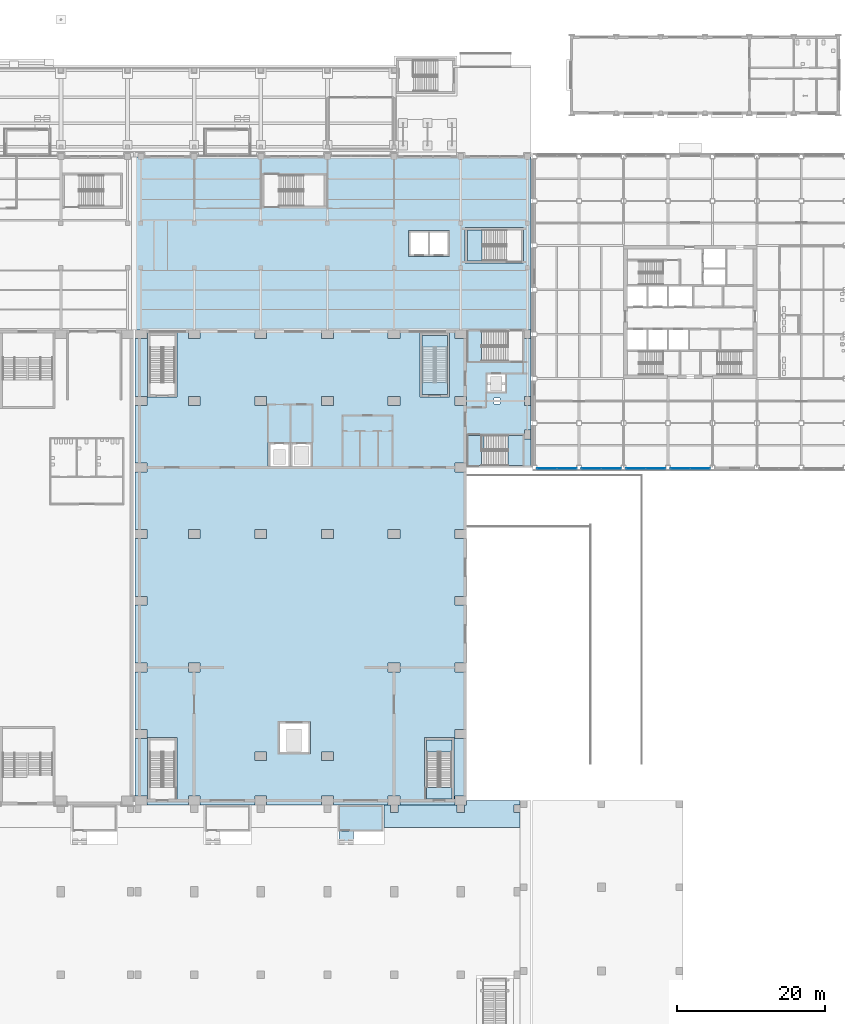
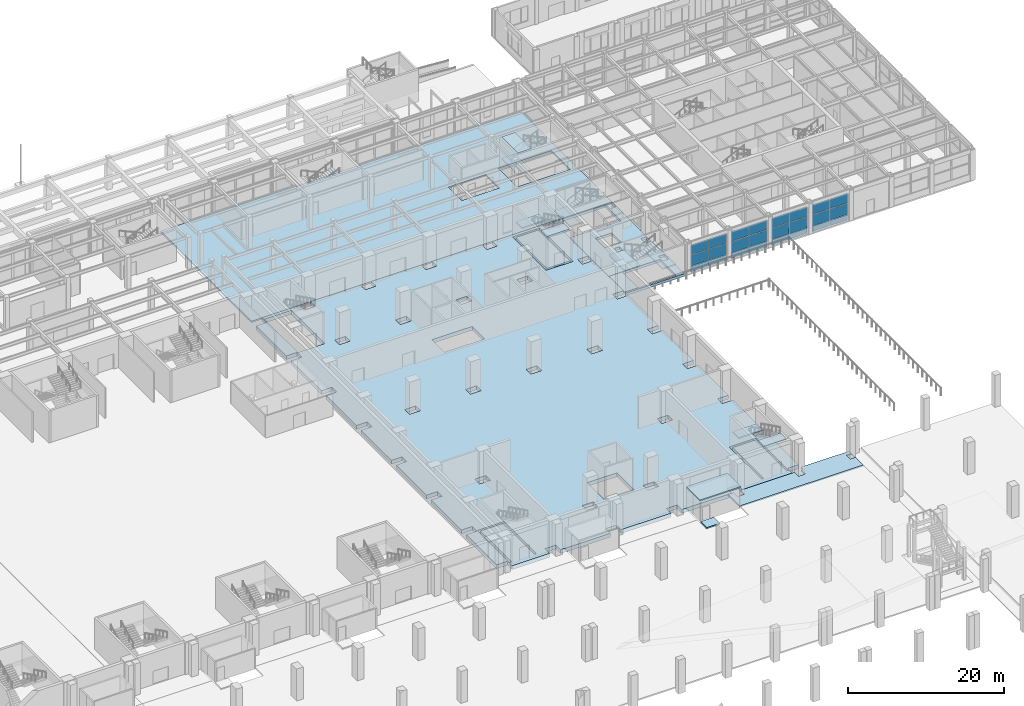
# One storey, part 32 of 77: 24 plates, 17 slabs, 9 elements without a shape of their own.
"""IFC4 building model written with IfcOpenShell, lengths in metres."""

from ifc_helpers import new_model, si_unit, direction, frame, origin, origin_2d, place, context, subcontext, project, spatial, polyline, rectangle, outline, extrude, material, layer, layer_set, type_object, element, aggregate, save


model = new_model("IFC4")

# Units and contexts
model_context = context("Model", 3, precision=1e-05, world=origin(), true_north=direction((0.0, 1.0)))
body_context = subcontext(model_context, "Body", "Model", "MODEL_VIEW")
ifc_project = project(units=[si_unit("LENGTHUNIT", "METRE"), si_unit("AREAUNIT", "SQUARE_METRE"), si_unit("VOLUMEUNIT", "CUBIC_METRE"), si_unit("PLANEANGLEUNIT", "RADIAN"), si_unit("MASSUNIT", "GRAM", prefix="KILO")], contexts=[model_context])

# Site, building, storey
site_placement = place(None, origin())
site = spatial("IfcSite", under=ifc_project, at=site_placement, CompositionType="ELEMENT")
building_placement = place(site_placement, origin())
building = spatial("IfcBuilding", under=site, at=building_placement, Name="Aravalli Gate Trade Fair Centre", CompositionType="ELEMENT")
storey_placement = place(building_placement, origin())
storey = spatial("IfcBuildingStorey", under=building, at=storey_placement, Name="L00", CompositionType="ELEMENT", Elevation=0.0)

# Slabs
ifc_material_1 = material(Name="Concrete M40", Category="concrete")
ifc_layer_1 = layer(ifc_material_1, 0.199951171875)
ifc_layer_set_1 = layer_set([ifc_layer_1], Name="Concrete M40")
slab_type_1 = type_object("IfcSlabType", Name="Apron paving 200", PredefinedType="USERDEFINED", material=ifc_layer_set_1)
slab_1_placement = place(storey_placement, frame((0.0, 0.0, -0.199951171875)))
element("IfcSlab", 1, at=slab_1_placement, inside=storey, type_object=slab_type_1, Name="Paving lane 2", ObjectType="PAVING", PredefinedType="USERDEFINED", context=body_context, shape_type="SweptSolid", body=[
    extrude(outline(polyline([(140.5, 45.39990234375), (140.5, 44.39990234375), (141.5, 44.39990234375), (141.5, 45.39990234375), (149.5, 45.39990234375), (149.5, 44.39990234375), (150.5, 44.39990234375), (150.5, 45.39990234375), (150.800048828125, 45.39990234375), (150.800048828125, 46.0), (158.0, 46.0), (158.0, 45.39990234375), (158.0, 42.39990234375), (139.64990234375, 42.39990234375), (139.64990234375, 45.39990234375), (140.5, 45.39990234375)]), holes=[polyline([(157.179931640625, 44.39990234375), (157.97998046875, 44.39990234375), (157.97998046875, 45.39990234375), (157.179931640625, 45.39990234375), (157.179931640625, 44.39990234375)])]), origin(), (0.0, 0.0, 1.0), 0.199951171875),
])
ifc_material_2 = material(Name="Concrete M30", Category="concrete")
ifc_layer_2 = layer(ifc_material_2, 0.199951171875)
ifc_layer_set_2 = layer_set([ifc_layer_2], Name="Concrete M30")
slab_type_2 = type_object("IfcSlabType", Name="Basement exit apron 200", PredefinedType="USERDEFINED", material=ifc_layer_set_2)
slab_2_placement = place(storey_placement, frame((0.0, 0.0, -0.199951171875)))
element("IfcSlab", 2, at=slab_2_placement, inside=storey, type_object=slab_type_2, Name="Basement stair S7 exit apron", ObjectType="PAVING", PredefinedType="USERDEFINED", context=body_context, shape_type="SweptSolid", body=[
    extrude(outline(polyline([(133.550048828125, 41.89990234375), (135.5, 41.89990234375), (135.5, 40.300048828125), (133.550048828125, 40.300048828125), (133.550048828125, 41.89990234375)])), origin(), (0.0, 0.0, 1.0), 0.199951171875),
])
ifc_material_3 = material(Name="Concrete M35", Category="concrete")
ifc_layer_3 = layer(ifc_material_3, 0.199951171875)
ifc_layer_set_3 = layer_set([ifc_layer_3], Name="Concrete M35")
slab_type_3 = type_object("IfcSlabType", Name="Basement stair head roof 200", PredefinedType="ROOF", material=ifc_layer_set_3)
slab_3_placement = place(storey_placement, frame((0.0, 0.0, 3.199951171875)))
element("IfcSlab", 3, at=slab_3_placement, inside=storey, type_object=slab_type_3, Name="Basement stair S7 head roof", PredefinedType="ROOF", context=body_context, shape_type="SweptSolid", body=[
    extrude(outline(polyline([(133.449951171875, 45.39990234375), (139.550048828125, 45.39990234375), (139.550048828125, 41.89990234375), (133.449951171875, 41.89990234375), (133.449951171875, 45.39990234375)])), origin(), (0.0, 0.0, 1.0), 0.199951171875),
])
ifc_layer_4 = layer(ifc_material_1, 0.25)
ifc_layer_set_4 = layer_set([ifc_layer_4], Name="Concrete M40")
slab_type_4 = type_object("IfcSlabType", Name="Concourse floor slab 250", PredefinedType="FLOOR", material=ifc_layer_set_4)
slab_4_placement = place(storey_placement, frame((0.0, 0.0, -0.25)))
element("IfcSlab", 4, at=slab_4_placement, inside=storey, type_object=slab_type_4, Name="Concourse floor slab 3", PredefinedType="FLOOR", context=body_context, shape_type="SweptSolid", body=[
    extrude(outline(polyline([(159.5, 132.919921875), (106.0, 132.919921875), (106.0, 109.60009765625), (159.5, 109.60009765625), (159.5, 132.919921875)]), holes=[polyline([(158.5, 118.60009765625), (150.60009765625, 118.60009765625), (150.60009765625, 123.39990234375), (158.5, 123.39990234375), (158.5, 118.60009765625)]), polyline([(148.5, 119.5), (142.949951171875, 119.5), (142.949951171875, 123.0), (148.5, 123.0), (148.5, 119.5)])]), origin(), (0.0, 0.0, 1.0), 0.25),
])

# Stair, slabs
stair_type_1 = type_object("IfcStairType", Name="Concourse stair, 2000 wide", PredefinedType="HALF_TURN_STAIR", material=ifc_material_2)
stair_1_placement = place(storey_placement, origin())
stair_1 = element("IfcStair", 5, at=stair_1_placement, inside=storey, type_object=stair_type_1, Name="Stair ES L00", PredefinedType="HALF_TURN_STAIR")
ifc_layer_5 = layer(ifc_material_2, 0.199951171875)
ifc_layer_set_5 = layer_set([ifc_layer_5], Name="Concrete M30")
slab_type_5 = type_object("IfcSlabType", Name="Concourse stair landing 200", PredefinedType="LANDING", material=ifc_layer_set_5)
slab_5_placement = place(storey_placement, frame((0.0, 0.0, 1.466796875)))
slab_5 = element("IfcSlab", 6, at=slab_5_placement, type_object=slab_type_5, Name="STES-L00 landing 1", PredefinedType="LANDING", context=body_context, shape_type="SweptSolid", body=[
    extrude(outline(polyline([(150.89990234375, 118.89990234375), (152.89990234375, 118.89990234375), (152.89990234375, 123.10009765625), (150.89990234375, 123.10009765625), (150.89990234375, 118.89990234375)])), origin(), (0.0, 0.0, 1.0), 0.199951171875),
])
slab_6_placement = place(storey_placement, frame((0.0, 0.0, 4.800048828125)))
slab_6 = element("IfcSlab", 7, at=slab_6_placement, type_object=slab_type_5, Name="STES-L00 landing 3", PredefinedType="LANDING", context=body_context, shape_type="SweptSolid", body=[
    extrude(outline(polyline([(150.89990234375, 118.89990234375), (152.89990234375, 118.89990234375), (152.89990234375, 123.10009765625), (150.89990234375, 123.10009765625), (150.89990234375, 118.89990234375)])), origin(), (0.0, 0.0, 1.0), 0.199951171875),
])
aggregate(stair_1, [slab_5, slab_6])

ifc_material_4 = material(Name="Concrete M45", Category="concrete")
stair_type_2 = type_object("IfcStairType", Name="Congress exit stair", PredefinedType="HALF_TURN_STAIR", material=ifc_material_4)
stair_2_placement = place(storey_placement, origin())
stair_2 = element("IfcStair", 8, at=stair_2_placement, inside=storey, type_object=stair_type_2, Name="Stage Stair East L00", PredefinedType="HALF_TURN_STAIR")
ifc_layer_6 = layer(ifc_material_4, 0.199951171875)
ifc_layer_set_6 = layer_set([ifc_layer_6], Name="Concrete M45")
slab_type_6 = type_object("IfcSlabType", Name="Congress exit stair landing RC 200", PredefinedType="LANDING", material=ifc_layer_set_6)
slab_7_placement = place(storey_placement, frame((0.0, 0.0, 2.300048828125)))
slab_7 = element("IfcSlab", 9, at=slab_7_placement, type_object=slab_type_6, Name="GX2 landing 1", PredefinedType="LANDING", context=body_context, shape_type="SweptSolid", body=[
    extrude(outline(polyline([(145.39990234375, 52.60009765625), (148.800048828125, 52.60009765625), (148.800048828125, 54.199951171875), (145.39990234375, 54.199951171875), (145.39990234375, 52.60009765625)])), origin(), (0.0, 0.0, 1.0), 0.199951171875),
])
slab_8_placement = place(storey_placement, frame((0.0, 0.0, 4.800048828125)))
slab_8 = element("IfcSlab", 10, at=slab_8_placement, type_object=slab_type_6, Name="GX2 landing 2", PredefinedType="LANDING", context=body_context, shape_type="SweptSolid", body=[
    extrude(outline(polyline([(145.39990234375, 46.199951171875), (148.800048828125, 46.199951171875), (148.800048828125, 47.800048828125), (145.39990234375, 47.800048828125), (145.39990234375, 46.199951171875)])), origin(), (0.0, 0.0, 1.0), 0.199951171875),
])
aggregate(stair_2, [slab_7, slab_8])

stair_3_placement = place(storey_placement, origin())
stair_3 = element("IfcStair", 11, at=stair_3_placement, inside=storey, type_object=stair_type_2, Name="Foyer Stair East L00", PredefinedType="HALF_TURN_STAIR")
slab_9_placement = place(storey_placement, frame((0.0, 0.0, 2.300048828125)))
slab_9 = element("IfcSlab", 12, at=slab_9_placement, type_object=slab_type_6, Name="GX4 landing 1", PredefinedType="LANDING", context=body_context, shape_type="SweptSolid", body=[
    extrude(outline(polyline([(144.800048828125, 107.25), (148.199951171875, 107.25), (148.199951171875, 108.85009765625), (144.800048828125, 108.85009765625), (144.800048828125, 107.25)])), origin(), (0.0, 0.0, 1.0), 0.199951171875),
])
slab_10_placement = place(storey_placement, frame((0.0, 0.0, 4.800048828125)))
slab_10 = element("IfcSlab", 13, at=slab_10_placement, type_object=slab_type_6, Name="GX4 landing 2", PredefinedType="LANDING", context=body_context, shape_type="SweptSolid", body=[
    extrude(outline(polyline([(144.800048828125, 100.85009765625), (148.199951171875, 100.85009765625), (148.199951171875, 102.449951171875), (144.800048828125, 102.449951171875), (144.800048828125, 100.85009765625)])), origin(), (0.0, 0.0, 1.0), 0.199951171875),
])
aggregate(stair_3, [slab_9, slab_10])

# Slabs
ifc_layer_7 = layer(ifc_material_1, 0.60009765625)
ifc_layer_set_7 = layer_set([ifc_layer_7], Name="Concrete M40")
slab_type_7 = type_object("IfcSlabType", Name="Congress ground deck RC 600", PredefinedType="FLOOR", material=ifc_layer_set_7)
slab_11_placement = place(storey_placement, frame((0.0, 0.0, -0.60009765625)))
element("IfcSlab", 14, at=slab_11_placement, inside=storey, type_object=slab_type_7, Name="Congress ground deck", PredefinedType="FLOOR", context=body_context, shape_type="SweptSolid", body=[
    extrude(outline(polyline([(149.199951171875, 46.60009765625), (149.199951171875, 45.39990234375), (141.800048828125, 45.39990234375), (141.800048828125, 46.60009765625), (140.199951171875, 46.60009765625), (140.199951171875, 45.39990234375), (132.800048828125, 45.39990234375), (132.800048828125, 46.60009765625), (131.199951171875, 46.60009765625), (131.199951171875, 45.39990234375), (123.800048828125, 45.39990234375), (123.800048828125, 46.60009765625), (122.199951171875, 46.60009765625), (122.199951171875, 45.39990234375), (114.800048828125, 45.39990234375), (114.800048828125, 46.60009765625), (113.199951171875, 46.60009765625), (113.199951171875, 45.39990234375), (107.60009765625, 45.39990234375), (107.60009765625, 46.60009765625), (106.0, 46.60009765625), (106.0, 54.39990234375), (107.60009765625, 54.39990234375), (107.60009765625, 55.60009765625), (106.0, 55.60009765625), (106.0, 63.39990234375), (107.60009765625, 63.39990234375), (107.60009765625, 64.60009765625), (106.0, 64.60009765625), (106.0, 72.39990234375), (107.60009765625, 72.39990234375), (107.60009765625, 73.60009765625), (106.0, 73.60009765625), (106.0, 81.39990234375), (107.60009765625, 81.39990234375), (107.60009765625, 82.60009765625), (106.0, 82.60009765625), (106.0, 90.39990234375), (107.60009765625, 90.39990234375), (107.60009765625, 91.60009765625), (106.0, 91.60009765625), (106.0, 99.39990234375), (107.60009765625, 99.39990234375), (107.60009765625, 100.60009765625), (106.0, 100.60009765625), (106.0, 108.39990234375), (107.60009765625, 108.39990234375), (107.60009765625, 109.60009765625), (113.199951171875, 109.60009765625), (113.199951171875, 108.39990234375), (114.800048828125, 108.39990234375), (114.800048828125, 109.60009765625), (122.199951171875, 109.60009765625), (122.199951171875, 108.39990234375), (123.800048828125, 108.39990234375), (123.800048828125, 109.60009765625), (131.199951171875, 109.60009765625), (131.199951171875, 108.39990234375), (132.800048828125, 108.39990234375), (132.800048828125, 109.60009765625), (140.199951171875, 109.60009765625), (140.199951171875, 108.39990234375), (141.800048828125, 108.39990234375), (141.800048828125, 109.60009765625), (149.199951171875, 109.60009765625), (149.199951171875, 108.39990234375), (150.800048828125, 108.39990234375), (150.800048828125, 100.60009765625), (149.199951171875, 100.60009765625), (149.199951171875, 99.39990234375), (150.800048828125, 99.39990234375), (150.800048828125, 91.60009765625), (149.199951171875, 91.60009765625), (149.199951171875, 90.39990234375), (150.800048828125, 90.39990234375), (150.800048828125, 82.60009765625), (149.199951171875, 82.60009765625), (149.199951171875, 81.39990234375), (150.800048828125, 81.39990234375), (150.800048828125, 73.60009765625), (149.199951171875, 73.60009765625), (149.199951171875, 72.39990234375), (150.800048828125, 72.39990234375), (150.800048828125, 64.60009765625), (149.199951171875, 64.60009765625), (149.199951171875, 63.39990234375), (150.800048828125, 63.39990234375), (150.800048828125, 55.60009765625), (149.199951171875, 55.60009765625), (149.199951171875, 54.39990234375), (150.800048828125, 54.39990234375), (150.800048828125, 46.60009765625), (149.199951171875, 46.60009765625)]), holes=[polyline([(123.800048828125, 52.60009765625), (122.199951171875, 52.60009765625), (122.199951171875, 51.39990234375), (123.800048828125, 51.39990234375), (123.800048828125, 52.60009765625)]), polyline([(114.800048828125, 64.60009765625), (113.199951171875, 64.60009765625), (113.199951171875, 63.39990234375), (114.800048828125, 63.39990234375), (114.800048828125, 64.60009765625)]), polyline([(114.800048828125, 82.60009765625), (113.199951171875, 82.60009765625), (113.199951171875, 81.39990234375), (114.800048828125, 81.39990234375), (114.800048828125, 82.60009765625)]), polyline([(123.800048828125, 82.60009765625), (122.199951171875, 82.60009765625), (122.199951171875, 81.39990234375), (123.800048828125, 81.39990234375), (123.800048828125, 82.60009765625)]), polyline([(123.800048828125, 100.60009765625), (122.199951171875, 100.60009765625), (122.199951171875, 99.39990234375), (123.800048828125, 99.39990234375), (123.800048828125, 100.60009765625)]), polyline([(114.800048828125, 100.60009765625), (113.199951171875, 100.60009765625), (113.199951171875, 99.39990234375), (114.800048828125, 99.39990234375), (114.800048828125, 100.60009765625)]), polyline([(132.800048828125, 52.60009765625), (131.199951171875, 52.60009765625), (131.199951171875, 51.39990234375), (132.800048828125, 51.39990234375), (132.800048828125, 52.60009765625)]), polyline([(141.800048828125, 64.60009765625), (140.199951171875, 64.60009765625), (140.199951171875, 63.39990234375), (141.800048828125, 63.39990234375), (141.800048828125, 64.60009765625)]), polyline([(141.800048828125, 81.39990234375), (141.800048828125, 82.60009765625), (140.199951171875, 82.60009765625), (140.199951171875, 81.39990234375), (141.800048828125, 81.39990234375)]), polyline([(132.800048828125, 82.60009765625), (131.199951171875, 82.60009765625), (131.199951171875, 81.39990234375), (132.800048828125, 81.39990234375), (132.800048828125, 82.60009765625)]), polyline([(141.800048828125, 100.60009765625), (140.199951171875, 100.60009765625), (140.199951171875, 99.39990234375), (141.800048828125, 99.39990234375), (141.800048828125, 100.60009765625)]), polyline([(132.800048828125, 100.60009765625), (131.199951171875, 100.60009765625), (131.199951171875, 99.39990234375), (132.800048828125, 99.39990234375), (132.800048828125, 100.60009765625)]), polyline([(108.0, 54.5), (107.699951171875, 54.5), (107.699951171875, 46.199951171875), (108.0, 46.199951171875), (108.0, 54.199951171875), (111.39990234375, 54.199951171875), (111.39990234375, 46.199951171875), (111.699951171875, 46.199951171875), (111.699951171875, 54.5), (111.39990234375, 54.5), (108.0, 54.5)]), polyline([(129.699951171875, 56.699951171875), (125.300048828125, 56.699951171875), (125.300048828125, 52.300048828125), (129.699951171875, 52.300048828125), (129.699951171875, 56.699951171875)]), polyline([(127.0, 91.199951171875), (130.0, 91.199951171875), (130.0, 94.39990234375), (127.0, 94.39990234375), (124.0, 94.39990234375), (124.0, 91.199951171875), (127.0, 91.199951171875)]), polyline([(111.39990234375, 109.14990234375), (108.0, 109.14990234375), (107.699951171875, 109.14990234375), (107.699951171875, 100.550048828125), (108.0, 100.550048828125), (111.39990234375, 100.550048828125), (111.699951171875, 100.550048828125), (111.699951171875, 109.14990234375), (111.39990234375, 109.14990234375)]), polyline([(145.39990234375, 54.5), (145.10009765625, 54.5), (145.10009765625, 46.199951171875), (145.39990234375, 46.199951171875), (145.39990234375, 54.199951171875), (148.800048828125, 54.199951171875), (148.800048828125, 46.199951171875), (149.10009765625, 46.199951171875), (149.10009765625, 54.5), (148.800048828125, 54.5), (145.39990234375, 54.5)]), polyline([(144.5, 100.550048828125), (144.800048828125, 100.550048828125), (148.199951171875, 100.550048828125), (148.5, 100.550048828125), (148.5, 109.14990234375), (148.199951171875, 109.14990234375), (144.800048828125, 109.14990234375), (144.5, 109.14990234375), (144.5, 100.550048828125)])]), origin(), (0.0, 0.0, 1.0), 0.60009765625),
])
slab_12_placement = place(storey_placement, frame((0.0, 0.0, -0.60009765625)))
element("IfcSlab", 15, at=slab_12_placement, inside=storey, type_object=slab_type_7, Name="Congress ground deck", PredefinedType="FLOOR", context=body_context, shape_type="SweptSolid", body=[
    extrude(outline(polyline([(148.199951171875, 108.85009765625), (148.199951171875, 100.85009765625), (144.800048828125, 100.85009765625), (144.800048828125, 108.85009765625), (148.199951171875, 108.85009765625)])), origin(), (0.0, 0.0, 1.0), 0.60009765625),
])
ifc_material_5 = material(Name="Concrete M50", Category="concrete")
ifc_layer_8 = layer(ifc_material_5, 0.409912109375)
ifc_layer_set_8 = layer_set([ifc_layer_8], Name="Concrete M50")
slab_type_8 = type_object("IfcSlabType", Name="Link floor slab 410", PredefinedType="FLOOR", material=ifc_layer_set_8)
slab_13_placement = place(storey_placement, frame((0.0, 0.0, -0.409912109375)))
element("IfcSlab", 16, at=slab_13_placement, inside=storey, type_object=slab_type_8, Name="Link floor slab L00", PredefinedType="FLOOR", context=body_context, shape_type="SweptSolid", body=[
    extrude(outline(polyline([(159.5, 109.60009765625), (159.5, 91.0), (150.800048828125, 91.0), (150.800048828125, 91.25), (158.39990234375, 91.25), (158.39990234375, 95.35009765625), (150.800048828125, 95.35009765625), (150.800048828125, 105.35009765625), (158.39990234375, 105.35009765625), (158.39990234375, 109.449951171875), (150.800048828125, 109.449951171875), (150.800048828125, 109.60009765625), (158.60009765625, 109.60009765625), (158.60009765625, 108.39990234375), (159.39990234375, 108.39990234375), (159.39990234375, 109.60009765625), (159.5, 109.60009765625)]), holes=[polyline([(158.60009765625, 96.050048828125), (158.60009765625, 94.85009765625), (159.39990234375, 94.85009765625), (159.39990234375, 96.050048828125), (158.60009765625, 96.050048828125)]), polyline([(154.5, 100.39990234375), (154.5, 99.60009765625), (155.300048828125, 99.60009765625), (155.300048828125, 100.39990234375), (154.5, 100.39990234375)]), polyline([(158.60009765625, 100.60009765625), (158.60009765625, 99.39990234375), (159.39990234375, 99.39990234375), (159.39990234375, 100.60009765625), (158.60009765625, 100.60009765625)]), polyline([(153.60009765625, 103.60009765625), (153.60009765625, 101.199951171875), (156.0, 101.199951171875), (156.0, 103.60009765625), (153.60009765625, 103.60009765625)])]), origin(), (0.0, 0.0, 1.0), 0.409912109375),
])

# Stair, slabs
stair_type_3 = type_object("IfcStairType", Name="Wing core stair", PredefinedType="HALF_TURN_STAIR", material=ifc_material_2)
stair_4_placement = place(storey_placement, origin())
stair_4 = element("IfcStair", 17, at=stair_4_placement, inside=storey, type_object=stair_type_3, Name="Stair LA L00", PredefinedType="HALF_TURN_STAIR")
ifc_layer_9 = layer(ifc_material_2, 0.199951171875)
ifc_layer_set_9 = layer_set([ifc_layer_9], Name="Concrete M30")
slab_type_9 = type_object("IfcSlabType", Name="Wing core stair landing 200", PredefinedType="LANDING", material=ifc_layer_set_9)
slab_14_placement = place(storey_placement, frame((0.0, 0.0, -0.199951171875)))
slab_14 = element("IfcSlab", 18, at=slab_14_placement, type_object=slab_type_9, Name="TST1 landing 1", PredefinedType="LANDING", context=body_context, shape_type="SweptSolid", body=[
    extrude(outline(polyline([(150.800048828125, 91.25), (152.800048828125, 91.25), (152.800048828125, 95.35009765625), (150.800048828125, 95.35009765625), (150.800048828125, 91.25)])), origin(), (0.0, 0.0, 1.0), 0.199951171875),
])
slab_15_placement = place(storey_placement, frame((0.0, 0.0, 1.564697265625)))
slab_15 = element("IfcSlab", 19, at=slab_15_placement, type_object=slab_type_9, Name="TST1 landing 2", PredefinedType="LANDING", context=body_context, shape_type="SweptSolid", body=[
    extrude(outline(polyline([(156.39697265625, 91.25), (158.39990234375, 91.25), (158.39990234375, 95.35009765625), (156.39697265625, 95.35009765625), (156.39697265625, 91.25)])), origin(), (0.0, 0.0, 1.0), 0.199951171875),
])
slab_16_placement = place(storey_placement, frame((0.0, 0.0, 3.182373046875)))
slab_16 = element("IfcSlab", 20, at=slab_16_placement, type_object=slab_type_9, Name="TST1 landing 3", PredefinedType="LANDING", context=body_context, shape_type="SweptSolid", body=[
    extrude(outline(polyline([(150.800048828125, 91.25), (153.126953125, 91.25), (153.126953125, 95.35009765625), (150.800048828125, 95.35009765625), (150.800048828125, 91.25)])), origin(), (0.0, 0.0, 1.0), 0.199951171875),
])
aggregate(stair_4, [slab_14, slab_15, slab_16])

# Stair, slab
stair_5_placement = place(storey_placement, origin())
stair_5 = element("IfcStair", 21, at=stair_5_placement, inside=storey, type_object=stair_type_3, Name="Stair LB L00", PredefinedType="HALF_TURN_STAIR")
slab_17_placement = place(storey_placement, frame((0.0, 0.0, 1.564697265625)))
slab_17 = element("IfcSlab", 22, at=slab_17_placement, type_object=slab_type_9, Name="TST1 landing 2", PredefinedType="LANDING", context=body_context, shape_type="SweptSolid", body=[
    extrude(outline(polyline([(150.800048828125, 105.35009765625), (152.802978515625, 105.35009765625), (152.802978515625, 109.449951171875), (150.800048828125, 109.449951171875), (150.800048828125, 105.35009765625)])), origin(), (0.0, 0.0, 1.0), 0.199951171875),
])
aggregate(stair_5, [slab_17])

# Curtain wall, plates
ifc_material_6 = material(Name="Aluminium and glass", Category="aluminium")
curtain_wall_type = type_object("IfcCurtainWallType", Name="Wing curtain wall", PredefinedType="NOTDEFINED", material=ifc_material_6)
curtain_wall_1_placement = place(storey_placement, origin())
curtain_wall_1 = element("IfcCurtainWall", 23, at=curtain_wall_1_placement, inside=storey, type_object=curtain_wall_type, Name="Curtain wall S0 L00", PredefinedType="NOTDEFINED")
ifc_material_7 = material(Name="Glass", Category="glass")
ifc_layer_10 = layer(ifc_material_7, 0.028076171875)
ifc_layer_set_10 = layer_set([ifc_layer_10], Name="Glass")
plate_type = type_object("IfcPlateType", Name="Wing curtain wall glazing panel 28", PredefinedType="CURTAIN_PANEL", material=ifc_layer_set_10)
plate_1_placement = place(storey_placement, frame((161.6650390625, 90.875, 0.06005859375), z_axis=(0.0, 0.0, 1.0), x_axis=(1.0, 0.0, 0.0)))
plate_1 = element("IfcPlate", 24, at=plate_1_placement, type_object=plate_type, Name="TCW1 panel 1.1", PredefinedType="CURTAIN_PANEL", context=body_context, shape_type="SweptSolid", body=[
    extrude(rectangle(XDim=2.610107421875, YDim=0.028076171875, at=origin_2d()), origin(), (0.0, 0.0, 1.0), 0.81005859375),
])
plate_2_placement = place(storey_placement, frame((161.6650390625, 90.875, 0.93017578125), z_axis=(0.0, 0.0, 1.0), x_axis=(1.0, 0.0, 0.0)))
plate_2 = element("IfcPlate", 25, at=plate_2_placement, type_object=plate_type, Name="TCW1 panel 1.2", PredefinedType="CURTAIN_PANEL", context=body_context, shape_type="SweptSolid", body=[
    extrude(rectangle(XDim=2.610107421875, YDim=0.028076171875, at=origin_2d()), origin(), (0.0, 0.0, 1.0), 1.739990234375),
])
plate_3_placement = place(storey_placement, frame((161.6650390625, 90.875, 2.72998046875), z_axis=(0.0, 0.0, 1.0), x_axis=(1.0, 0.0, 0.0)))
plate_3 = element("IfcPlate", 26, at=plate_3_placement, type_object=plate_type, Name="TCW1 panel 1.3", PredefinedType="CURTAIN_PANEL", context=body_context, shape_type="SweptSolid", body=[
    extrude(rectangle(XDim=2.610107421875, YDim=0.028076171875, at=origin_2d()), origin(), (0.0, 0.0, 1.0), 1.56005859375),
])
plate_4_placement = place(storey_placement, frame((164.3349609375, 90.875, 0.06005859375), z_axis=(0.0, 0.0, 1.0), x_axis=(1.0, 0.0, 0.0)))
plate_4 = element("IfcPlate", 27, at=plate_4_placement, type_object=plate_type, Name="TCW1 panel 2.1", PredefinedType="CURTAIN_PANEL", context=body_context, shape_type="SweptSolid", body=[
    extrude(rectangle(XDim=2.610107421875, YDim=0.028076171875, at=origin_2d()), origin(), (0.0, 0.0, 1.0), 0.81005859375),
])
plate_5_placement = place(storey_placement, frame((164.3349609375, 90.875, 0.93017578125), z_axis=(0.0, 0.0, 1.0), x_axis=(1.0, 0.0, 0.0)))
plate_5 = element("IfcPlate", 28, at=plate_5_placement, type_object=plate_type, Name="TCW1 panel 2.2", PredefinedType="CURTAIN_PANEL", context=body_context, shape_type="SweptSolid", body=[
    extrude(rectangle(XDim=2.610107421875, YDim=0.028076171875, at=origin_2d()), origin(), (0.0, 0.0, 1.0), 1.739990234375),
])
plate_6_placement = place(storey_placement, frame((164.3349609375, 90.875, 2.72998046875), z_axis=(0.0, 0.0, 1.0), x_axis=(1.0, 0.0, 0.0)))
plate_6 = element("IfcPlate", 29, at=plate_6_placement, type_object=plate_type, Name="TCW1 panel 2.3", PredefinedType="CURTAIN_PANEL", context=body_context, shape_type="SweptSolid", body=[
    extrude(rectangle(XDim=2.610107421875, YDim=0.028076171875, at=origin_2d()), origin(), (0.0, 0.0, 1.0), 1.56005859375),
])
aggregate(curtain_wall_1, [plate_1, plate_2, plate_3, plate_4, plate_5, plate_6])

curtain_wall_2_placement = place(storey_placement, origin())
curtain_wall_2 = element("IfcCurtainWall", 30, at=curtain_wall_2_placement, inside=storey, type_object=curtain_wall_type, Name="Curtain wall S1 L00", PredefinedType="NOTDEFINED")
plate_7_placement = place(storey_placement, frame((167.6650390625, 90.875, 0.06005859375), z_axis=(0.0, 0.0, 1.0), x_axis=(1.0, 0.0, 0.0)))
plate_7 = element("IfcPlate", 31, at=plate_7_placement, type_object=plate_type, Name="TCW1 panel 1.1", PredefinedType="CURTAIN_PANEL", context=body_context, shape_type="SweptSolid", body=[
    extrude(rectangle(XDim=2.610107421875, YDim=0.028076171875, at=origin_2d()), origin(), (0.0, 0.0, 1.0), 0.81005859375),
])
plate_8_placement = place(storey_placement, frame((167.6650390625, 90.875, 0.93017578125), z_axis=(0.0, 0.0, 1.0), x_axis=(1.0, 0.0, 0.0)))
plate_8 = element("IfcPlate", 32, at=plate_8_placement, type_object=plate_type, Name="TCW1 panel 1.2", PredefinedType="CURTAIN_PANEL", context=body_context, shape_type="SweptSolid", body=[
    extrude(rectangle(XDim=2.610107421875, YDim=0.028076171875, at=origin_2d()), origin(), (0.0, 0.0, 1.0), 1.739990234375),
])
plate_9_placement = place(storey_placement, frame((167.6650390625, 90.875, 2.72998046875), z_axis=(0.0, 0.0, 1.0), x_axis=(1.0, 0.0, 0.0)))
plate_9 = element("IfcPlate", 33, at=plate_9_placement, type_object=plate_type, Name="TCW1 panel 1.3", PredefinedType="CURTAIN_PANEL", context=body_context, shape_type="SweptSolid", body=[
    extrude(rectangle(XDim=2.610107421875, YDim=0.028076171875, at=origin_2d()), origin(), (0.0, 0.0, 1.0), 1.56005859375),
])
plate_10_placement = place(storey_placement, frame((170.3349609375, 90.875, 0.06005859375), z_axis=(0.0, 0.0, 1.0), x_axis=(1.0, 0.0, 0.0)))
plate_10 = element("IfcPlate", 34, at=plate_10_placement, type_object=plate_type, Name="TCW1 panel 2.1", PredefinedType="CURTAIN_PANEL", context=body_context, shape_type="SweptSolid", body=[
    extrude(rectangle(XDim=2.610107421875, YDim=0.028076171875, at=origin_2d()), origin(), (0.0, 0.0, 1.0), 0.81005859375),
])
plate_11_placement = place(storey_placement, frame((170.3349609375, 90.875, 0.93017578125), z_axis=(0.0, 0.0, 1.0), x_axis=(1.0, 0.0, 0.0)))
plate_11 = element("IfcPlate", 35, at=plate_11_placement, type_object=plate_type, Name="TCW1 panel 2.2", PredefinedType="CURTAIN_PANEL", context=body_context, shape_type="SweptSolid", body=[
    extrude(rectangle(XDim=2.610107421875, YDim=0.028076171875, at=origin_2d()), origin(), (0.0, 0.0, 1.0), 1.739990234375),
])
plate_12_placement = place(storey_placement, frame((170.3349609375, 90.875, 2.72998046875), z_axis=(0.0, 0.0, 1.0), x_axis=(1.0, 0.0, 0.0)))
plate_12 = element("IfcPlate", 36, at=plate_12_placement, type_object=plate_type, Name="TCW1 panel 2.3", PredefinedType="CURTAIN_PANEL", context=body_context, shape_type="SweptSolid", body=[
    extrude(rectangle(XDim=2.610107421875, YDim=0.028076171875, at=origin_2d()), origin(), (0.0, 0.0, 1.0), 1.56005859375),
])
aggregate(curtain_wall_2, [plate_7, plate_8, plate_9, plate_10, plate_11, plate_12])

curtain_wall_3_placement = place(storey_placement, origin())
curtain_wall_3 = element("IfcCurtainWall", 37, at=curtain_wall_3_placement, inside=storey, type_object=curtain_wall_type, Name="Curtain wall S2 L00", PredefinedType="NOTDEFINED")
plate_13_placement = place(storey_placement, frame((173.6650390625, 90.875, 0.06005859375), z_axis=(0.0, 0.0, 1.0), x_axis=(1.0, 0.0, 0.0)))
plate_13 = element("IfcPlate", 38, at=plate_13_placement, type_object=plate_type, Name="TCW1 panel 1.1", PredefinedType="CURTAIN_PANEL", context=body_context, shape_type="SweptSolid", body=[
    extrude(rectangle(XDim=2.610107421875, YDim=0.028076171875, at=origin_2d()), origin(), (0.0, 0.0, 1.0), 0.81005859375),
])
plate_14_placement = place(storey_placement, frame((173.6650390625, 90.875, 0.93017578125), z_axis=(0.0, 0.0, 1.0), x_axis=(1.0, 0.0, 0.0)))
plate_14 = element("IfcPlate", 39, at=plate_14_placement, type_object=plate_type, Name="TCW1 panel 1.2", PredefinedType="CURTAIN_PANEL", context=body_context, shape_type="SweptSolid", body=[
    extrude(rectangle(XDim=2.610107421875, YDim=0.028076171875, at=origin_2d()), origin(), (0.0, 0.0, 1.0), 1.739990234375),
])
plate_15_placement = place(storey_placement, frame((173.6650390625, 90.875, 2.72998046875), z_axis=(0.0, 0.0, 1.0), x_axis=(1.0, 0.0, 0.0)))
plate_15 = element("IfcPlate", 40, at=plate_15_placement, type_object=plate_type, Name="TCW1 panel 1.3", PredefinedType="CURTAIN_PANEL", context=body_context, shape_type="SweptSolid", body=[
    extrude(rectangle(XDim=2.610107421875, YDim=0.028076171875, at=origin_2d()), origin(), (0.0, 0.0, 1.0), 1.56005859375),
])
plate_16_placement = place(storey_placement, frame((176.3349609375, 90.875, 0.06005859375), z_axis=(0.0, 0.0, 1.0), x_axis=(1.0, 0.0, 0.0)))
plate_16 = element("IfcPlate", 41, at=plate_16_placement, type_object=plate_type, Name="TCW1 panel 2.1", PredefinedType="CURTAIN_PANEL", context=body_context, shape_type="SweptSolid", body=[
    extrude(rectangle(XDim=2.610107421875, YDim=0.028076171875, at=origin_2d()), origin(), (0.0, 0.0, 1.0), 0.81005859375),
])
plate_17_placement = place(storey_placement, frame((176.3349609375, 90.875, 0.93017578125), z_axis=(0.0, 0.0, 1.0), x_axis=(1.0, 0.0, 0.0)))
plate_17 = element("IfcPlate", 42, at=plate_17_placement, type_object=plate_type, Name="TCW1 panel 2.2", PredefinedType="CURTAIN_PANEL", context=body_context, shape_type="SweptSolid", body=[
    extrude(rectangle(XDim=2.610107421875, YDim=0.028076171875, at=origin_2d()), origin(), (0.0, 0.0, 1.0), 1.739990234375),
])
plate_18_placement = place(storey_placement, frame((176.3349609375, 90.875, 2.72998046875), z_axis=(0.0, 0.0, 1.0), x_axis=(1.0, 0.0, 0.0)))
plate_18 = element("IfcPlate", 43, at=plate_18_placement, type_object=plate_type, Name="TCW1 panel 2.3", PredefinedType="CURTAIN_PANEL", context=body_context, shape_type="SweptSolid", body=[
    extrude(rectangle(XDim=2.610107421875, YDim=0.028076171875, at=origin_2d()), origin(), (0.0, 0.0, 1.0), 1.56005859375),
])
aggregate(curtain_wall_3, [plate_13, plate_14, plate_15, plate_16, plate_17, plate_18])

curtain_wall_4_placement = place(storey_placement, origin())
curtain_wall_4 = element("IfcCurtainWall", 44, at=curtain_wall_4_placement, inside=storey, type_object=curtain_wall_type, Name="Curtain wall S3 L00", PredefinedType="NOTDEFINED")
plate_19_placement = place(storey_placement, frame((179.6650390625, 90.875, 0.06005859375), z_axis=(0.0, 0.0, 1.0), x_axis=(1.0, 0.0, 0.0)))
plate_19 = element("IfcPlate", 45, at=plate_19_placement, type_object=plate_type, Name="TCW1 panel 1.1", PredefinedType="CURTAIN_PANEL", context=body_context, shape_type="SweptSolid", body=[
    extrude(rectangle(XDim=2.610107421875, YDim=0.028076171875, at=origin_2d()), origin(), (0.0, 0.0, 1.0), 0.81005859375),
])
plate_20_placement = place(storey_placement, frame((179.6650390625, 90.875, 0.93017578125), z_axis=(0.0, 0.0, 1.0), x_axis=(1.0, 0.0, 0.0)))
plate_20 = element("IfcPlate", 46, at=plate_20_placement, type_object=plate_type, Name="TCW1 panel 1.2", PredefinedType="CURTAIN_PANEL", context=body_context, shape_type="SweptSolid", body=[
    extrude(rectangle(XDim=2.610107421875, YDim=0.028076171875, at=origin_2d()), origin(), (0.0, 0.0, 1.0), 1.739990234375),
])
plate_21_placement = place(storey_placement, frame((179.6650390625, 90.875, 2.72998046875), z_axis=(0.0, 0.0, 1.0), x_axis=(1.0, 0.0, 0.0)))
plate_21 = element("IfcPlate", 47, at=plate_21_placement, type_object=plate_type, Name="TCW1 panel 1.3", PredefinedType="CURTAIN_PANEL", context=body_context, shape_type="SweptSolid", body=[
    extrude(rectangle(XDim=2.610107421875, YDim=0.028076171875, at=origin_2d()), origin(), (0.0, 0.0, 1.0), 1.56005859375),
])
plate_22_placement = place(storey_placement, frame((182.3349609375, 90.875, 0.06005859375), z_axis=(0.0, 0.0, 1.0), x_axis=(1.0, 0.0, 0.0)))
plate_22 = element("IfcPlate", 48, at=plate_22_placement, type_object=plate_type, Name="TCW1 panel 2.1", PredefinedType="CURTAIN_PANEL", context=body_context, shape_type="SweptSolid", body=[
    extrude(rectangle(XDim=2.610107421875, YDim=0.028076171875, at=origin_2d()), origin(), (0.0, 0.0, 1.0), 0.81005859375),
])
plate_23_placement = place(storey_placement, frame((182.3349609375, 90.875, 0.93017578125), z_axis=(0.0, 0.0, 1.0), x_axis=(1.0, 0.0, 0.0)))
plate_23 = element("IfcPlate", 49, at=plate_23_placement, type_object=plate_type, Name="TCW1 panel 2.2", PredefinedType="CURTAIN_PANEL", context=body_context, shape_type="SweptSolid", body=[
    extrude(rectangle(XDim=2.610107421875, YDim=0.028076171875, at=origin_2d()), origin(), (0.0, 0.0, 1.0), 1.739990234375),
])
plate_24_placement = place(storey_placement, frame((182.3349609375, 90.875, 2.72998046875), z_axis=(0.0, 0.0, 1.0), x_axis=(1.0, 0.0, 0.0)))
plate_24 = element("IfcPlate", 50, at=plate_24_placement, type_object=plate_type, Name="TCW1 panel 2.3", PredefinedType="CURTAIN_PANEL", context=body_context, shape_type="SweptSolid", body=[
    extrude(rectangle(XDim=2.610107421875, YDim=0.028076171875, at=origin_2d()), origin(), (0.0, 0.0, 1.0), 1.56005859375),
])
aggregate(curtain_wall_4, [plate_19, plate_20, plate_21, plate_22, plate_23, plate_24])

save(model, "model.ifc")
